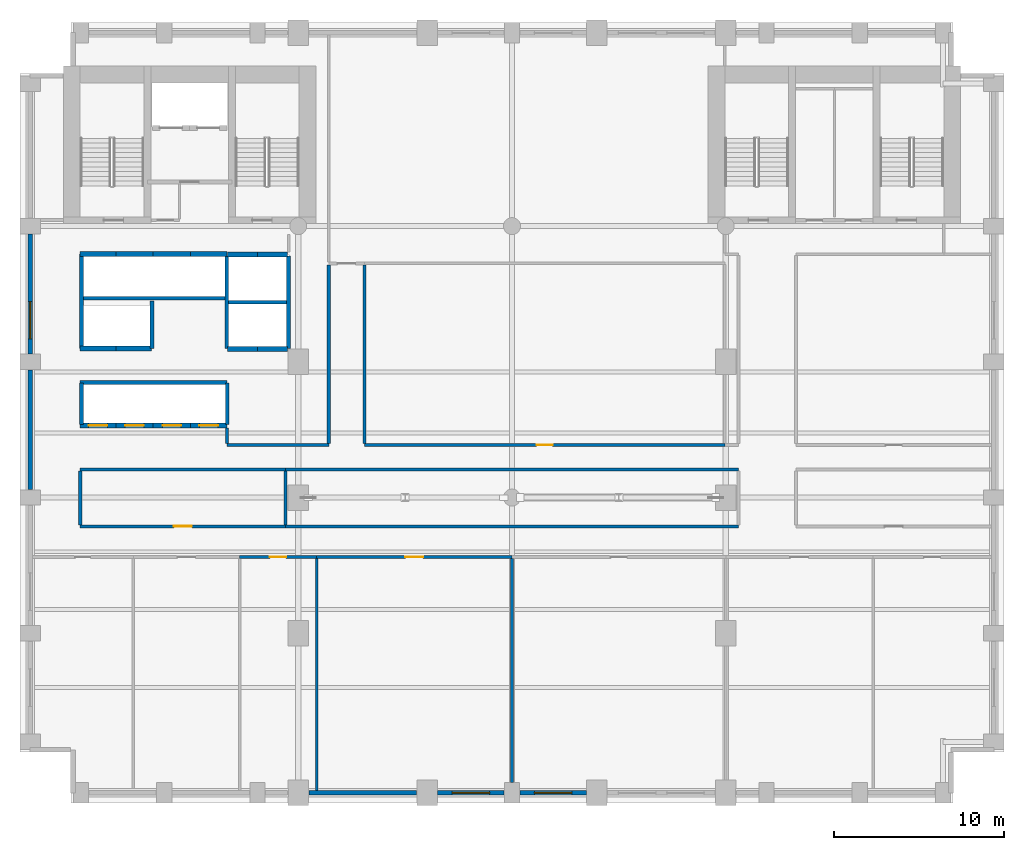
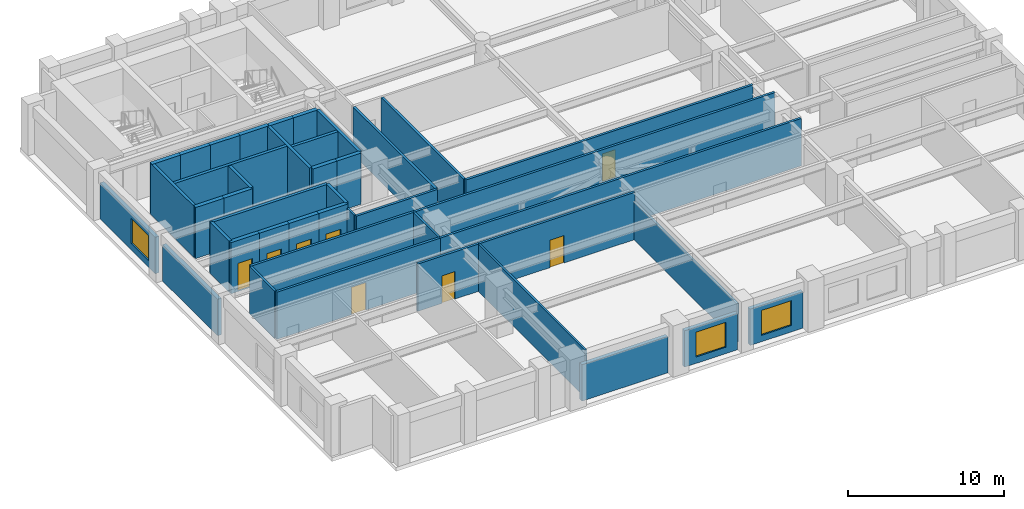
# One storey, part 5 of 10: 43 walls, 8 doors, 3 windows, 11 openings.
"""IFC4 building model written with IfcOpenShell, lengths in metres."""

from ifc_helpers import new_model, si_unit, direction, frame, frame_2d, origin, place, context, subcontext, project, spatial, rectangle, extrude, material, layer, layer_set, type_object, element, fill, save


model = new_model("IFC4")

# Units and contexts
model_context = context("Model", 3, precision=1e-05, world=origin(), true_north=direction((0.0, 1.0)))
body_context = subcontext(model_context, "Body", "Model", "MODEL_VIEW")
ifc_project = project(units=[si_unit("LENGTHUNIT", "METRE"), si_unit("AREAUNIT", "SQUARE_METRE"), si_unit("VOLUMEUNIT", "CUBIC_METRE"), si_unit("PLANEANGLEUNIT", "RADIAN"), si_unit("MASSUNIT", "GRAM", prefix="KILO")], contexts=[model_context])

# Site, building, storey
site_placement = place(None, origin())
site = spatial("IfcSite", under=ifc_project, at=site_placement, CompositionType="ELEMENT")
building_placement = place(site_placement, origin())
building = spatial("IfcBuilding", under=site, at=building_placement, Name="Sulina Concourse Tower", CompositionType="ELEMENT")
storey_placement = place(building_placement, frame((0.0, 0.0, 50.60009765625)))
storey = spatial("IfcBuildingStorey", under=building, at=storey_placement, Name="L12", CompositionType="ELEMENT", Elevation=50.60009765625)

# Walls
ifc_material_1 = material(Name="Concrete C50/60", Category="concrete")
ifc_layer_1 = layer(ifc_material_1, 0.219970703125)
ifc_layer_set_1 = layer_set([ifc_layer_1], Name="Concrete C50/60")
wall_type_1 = type_object("IfcWallType", Name="Core Lift Hoistway Divider Wall 220mm", PredefinedType="SOLIDWALL", material=ifc_layer_set_1)
wall_1_placement = place(storey_placement, frame((3.550048828125, 29.75, 0.0), z_axis=(0.0, 0.0, 1.0), x_axis=(1.0, 0.0, 0.0)))
element("IfcWall", 1, at=wall_1_placement, inside=storey, type_object=wall_type_1, Name="L12 shaft divider wall HW-LP3-S", PredefinedType="SOLIDWALL", context=body_context, shape_type="SweptSolid", body=[
    extrude(rectangle(XDim=8.64990234375, YDim=0.219970703125, at=frame_2d((4.324951171875, 0.0))), origin(), (0.0, 0.0, 1.0), 4.0),
])
wall_2_placement = place(storey_placement, frame((3.6298828125, 26.800048828125, 0.0), z_axis=(0.0, 0.0, 1.0), x_axis=(0.0, 1.0, 0.0)))
element("IfcWall", 2, at=wall_2_placement, inside=storey, type_object=wall_type_1, Name="L12 shaft divider wall HW-LP3-W", PredefinedType="SOLIDWALL", context=body_context, shape_type="SweptSolid", body=[
    extrude(rectangle(XDim=5.550048828125, YDim=0.219970703125, at=frame_2d((2.77490234375, 0.0))), origin(), (0.0, 0.0, 1.0), 4.0),
])
wall_3_placement = place(storey_placement, frame((7.780029296875, 26.800048828125, 0.0), z_axis=(0.0, 0.0, 1.0), x_axis=(0.0, 1.0, 0.0)))
element("IfcWall", 3, at=wall_3_placement, inside=storey, type_object=wall_type_1, Name="L12 shaft divider wall HW-EXP-E", PredefinedType="SOLIDWALL", context=body_context, shape_type="SweptSolid", body=[
    extrude(rectangle(XDim=2.800048828125, YDim=0.219970703125, at=frame_2d((1.39990234375, 0.0))), origin(), (0.0, 0.0, 1.0), 4.0),
])
for number, where, z_axis, x_axis, name in (
    (4, (12.179931640625, 26.800048828125, 0.0), (0.0, 0.0, 1.0), (0.0, 1.0, 0.0), "L12 shaft divider wall HW-LP2-W"),
    (5, (15.820068359375, 26.800048828125, 0.0), (0.0, 0.0, 1.0), (0.0, 1.0, 0.0), "L12 shaft divider wall HW-LP2-E"),
):
    element("IfcWall", number, at=place(storey_placement, frame(where, z_axis=z_axis, x_axis=x_axis)), inside=storey, type_object=wall_type_1, Name=name, PredefinedType="SOLIDWALL", context=body_context, shape_type="SweptSolid", body=[
        extrude(rectangle(XDim=5.449951171875, YDim=0.219970703125, at=frame_2d((2.72509765625, 0.0))), origin(), (0.0, 0.0, 1.0), 4.0),
    ])
wall_4_placement = place(storey_placement, frame((12.300048828125, 29.52001953125, 0.0), z_axis=(0.0, 0.0, 1.0), x_axis=(1.0, 0.0, 0.0)))
element("IfcWall", 6, at=wall_4_placement, inside=storey, type_object=wall_type_1, Name="L12 shaft divider wall HW-LP2-M", PredefinedType="SOLIDWALL", context=body_context, shape_type="SweptSolid", body=[
    extrude(rectangle(XDim=3.39990234375, YDim=0.219970703125, at=frame_2d((1.699951171875, 0.0))), origin(), (0.0, 0.0, 1.0), 4.0),
])
wall_5_placement = place(storey_placement, frame((3.550048828125, 24.780029296875, 0.0), z_axis=(0.0, 0.0, 1.0), x_axis=(1.0, 0.0, 0.0)))
element("IfcWall", 7, at=wall_5_placement, inside=storey, type_object=wall_type_1, Name="L12 shaft divider wall HW-LP1-N", PredefinedType="SOLIDWALL", context=body_context, shape_type="SweptSolid", body=[
    extrude(rectangle(XDim=8.64990234375, YDim=0.219970703125, at=frame_2d((4.324951171875, 0.0))), origin(), (0.0, 0.0, 1.0), 4.0),
])
for number, where, z_axis, x_axis, name in (
    (8, (3.6298828125, 22.300048828125, 0.0), (0.0, 0.0, 1.0), (0.0, 1.0, 0.0), "L12 shaft divider wall HW-LP1-W"),
    (9, (12.219970703125, 22.300048828125, 0.0), (0.0, 0.0, 1.0), (0.0, 1.0, 0.0), "L12 shaft divider wall HW-LP1-E"),
):
    element("IfcWall", number, at=place(storey_placement, frame(where, z_axis=z_axis, x_axis=x_axis)), inside=storey, type_object=wall_type_1, Name=name, PredefinedType="SOLIDWALL", context=body_context, shape_type="SweptSolid", body=[
        extrude(rectangle(XDim=2.449951171875, YDim=0.219970703125, at=frame_2d((1.22509765625, 0.0))), origin(), (0.0, 0.0, 1.0), 4.0),
    ])

# Wall, opening, door
ifc_material_2 = material(Name="Concrete C50/60", Category="concrete")
ifc_layer_2 = layer(ifc_material_2, 0.300048828125)
ifc_layer_set_2 = layer_set([ifc_layer_2], Name="Concrete C50/60")
wall_type_2 = type_object("IfcWallType", Name="Core Lift Hoistway Wall 300mm", PredefinedType="SOLIDWALL", material=ifc_layer_set_2)
wall_6_placement = place(storey_placement, frame((5.64990234375, 22.25, 0.0), z_axis=(0.0, 0.0, 1.0), x_axis=(-1.0, 0.0, 0.0)))
wall_6 = element("IfcWall", 10, at=wall_6_placement, inside=storey, type_object=wall_type_2, Name="L12 hoistway enclosure wall LP-01", PredefinedType="SOLIDWALL", context=body_context, shape_type="SweptSolid", body=[
    extrude(rectangle(XDim=2.099853515625, YDim=0.300048828125, at=frame_2d((1.0498046875, 0.0))), origin(), (0.0, 0.0, 1.0), 4.0),
])
opening_1_placement = place(wall_6_placement, frame((0.5, 0.0, 0.0)))
opening_1 = element("IfcOpeningElement", 11, at=opening_1_placement, cuts=wall_6, Name="Opening LD-01", PredefinedType="OPENING", context=body_context, shape_type="SweptSolid", body=[
    extrude(rectangle(XDim=1.10009765625, YDim=2.199951171875, at=frame_2d((0.550048828125, 1.10009765625))), frame((0.0, 0.159912109375, 0.0), z_axis=(0.0, -1.0, 0.0), x_axis=(1.0, 0.0, 0.0)), (0.0, 0.0, 1.0), 0.320068359375),
])
ifc_material_3 = material(Name="Stainless steel lift landing door", Category="steel")
ifc_layer_3 = layer(ifc_material_3, 0.050048828125)
ifc_layer_set_3 = layer_set([ifc_layer_3], Name="Stainless steel lift landing door")
door_type_1 = type_object("IfcDoorType", Name="Passenger Lift Sliding Landing Door 1100x2200", OperationType="SLIDING_TO_LEFT", PredefinedType="DOOR", material=ifc_layer_set_3)
door_1_placement = place(opening_1_placement, origin())
door_1 = element("IfcDoor", 12, at=door_1_placement, inside=storey, type_object=door_type_1, Name="L12 lift landing sliding door LP-01", OperationType="SLIDING_TO_LEFT", OverallHeight=2.199951171875, OverallWidth=1.10009765625, PredefinedType="DOOR", context=body_context, shape_type="SweptSolid", body=[
    extrude(rectangle(XDim=1.10009765625, YDim=2.199951171875, at=frame_2d((0.550048828125, 1.10009765625))), frame((0.0, 0.02490234375, 0.0), z_axis=(0.0, -1.0, 0.0), x_axis=(1.0, 0.0, 0.0)), (0.0, 0.0, 1.0), 0.050048828125),
])
fill(opening_1, door_1)

wall_7_placement = place(storey_placement, frame((7.85009765625, 22.25, 0.0), z_axis=(0.0, 0.0, 1.0), x_axis=(-1.0, 0.0, 0.0)))
wall_7 = element("IfcWall", 13, at=wall_7_placement, inside=storey, type_object=wall_type_2, Name="L12 hoistway enclosure wall LP-02", PredefinedType="SOLIDWALL", context=body_context, shape_type="SweptSolid", body=[
    extrude(rectangle(XDim=2.2001953125, YDim=0.300048828125, at=frame_2d((1.10009765625, 0.0))), origin(), (0.0, 0.0, 1.0), 4.0),
])
opening_2_placement = place(wall_7_placement, frame((0.550048828125, 0.0, 0.0)))
opening_2 = element("IfcOpeningElement", 14, at=opening_2_placement, cuts=wall_7, Name="Opening LD-01", PredefinedType="OPENING", context=body_context, shape_type="SweptSolid", body=[
    extrude(rectangle(XDim=1.10009765625, YDim=2.199951171875, at=frame_2d((0.550048828125, 1.10009765625))), frame((0.0, 0.159912109375, 0.0), z_axis=(0.0, -1.0, 0.0), x_axis=(1.0, 0.0, 0.0)), (0.0, 0.0, 1.0), 0.320068359375),
])
door_2_placement = place(opening_2_placement, origin())
door_2 = element("IfcDoor", 15, at=door_2_placement, inside=storey, type_object=door_type_1, Name="L12 lift landing sliding door LP-02", OperationType="SLIDING_TO_RIGHT", OverallHeight=2.199951171875, OverallWidth=1.10009765625, PredefinedType="DOOR", context=body_context, shape_type="SweptSolid", body=[
    extrude(rectangle(XDim=1.10009765625, YDim=2.199951171875, at=frame_2d((0.550048828125, 1.10009765625))), frame((0.0, 0.02490234375, 0.0), z_axis=(0.0, -1.0, 0.0), x_axis=(1.0, 0.0, 0.0)), (0.0, 0.0, 1.0), 0.050048828125),
])
fill(opening_2, door_2)

wall_8_placement = place(storey_placement, frame((10.050048828125, 22.25, 0.0), z_axis=(0.0, 0.0, 1.0), x_axis=(-1.0, 0.0, 0.0)))
wall_8 = element("IfcWall", 16, at=wall_8_placement, inside=storey, type_object=wall_type_2, Name="L12 hoistway enclosure wall LP-03", PredefinedType="SOLIDWALL", context=body_context, shape_type="SweptSolid", body=[
    extrude(rectangle(XDim=2.199951171875, YDim=0.300048828125, at=frame_2d((1.10009765625, 0.0))), origin(), (0.0, 0.0, 1.0), 4.0),
])
opening_3_placement = place(wall_8_placement, frame((0.550048828125, 0.0, 0.0)))
opening_3 = element("IfcOpeningElement", 17, at=opening_3_placement, cuts=wall_8, Name="Opening LD-01", PredefinedType="OPENING", context=body_context, shape_type="SweptSolid", body=[
    extrude(rectangle(XDim=1.10009765625, YDim=2.199951171875, at=frame_2d((0.550048828125, 1.10009765625))), frame((0.0, 0.159912109375, 0.0), z_axis=(0.0, -1.0, 0.0), x_axis=(1.0, 0.0, 0.0)), (0.0, 0.0, 1.0), 0.320068359375),
])
door_3_placement = place(opening_3_placement, origin())
door_3 = element("IfcDoor", 18, at=door_3_placement, inside=storey, type_object=door_type_1, Name="L12 lift landing sliding door LP-03", OperationType="SLIDING_TO_LEFT", OverallHeight=2.199951171875, OverallWidth=1.10009765625, PredefinedType="DOOR", context=body_context, shape_type="SweptSolid", body=[
    extrude(rectangle(XDim=1.10009765625, YDim=2.199951171875, at=frame_2d((0.550048828125, 1.10009765625))), frame((0.0, 0.02490234375, 0.0), z_axis=(0.0, -1.0, 0.0), x_axis=(1.0, 0.0, 0.0)), (0.0, 0.0, 1.0), 0.050048828125),
])
fill(opening_3, door_3)

wall_9_placement = place(storey_placement, frame((12.199951171875, 22.25, 0.0), z_axis=(0.0, 0.0, 1.0), x_axis=(-1.0, 0.0, 0.0)))
wall_9 = element("IfcWall", 19, at=wall_9_placement, inside=storey, type_object=wall_type_2, Name="L12 hoistway enclosure wall LP-04", PredefinedType="SOLIDWALL", context=body_context, shape_type="SweptSolid", body=[
    extrude(rectangle(XDim=2.14990234375, YDim=0.300048828125, at=frame_2d((1.074951171875, 0.0))), origin(), (0.0, 0.0, 1.0), 4.0),
])
opening_4_placement = place(wall_9_placement, frame((0.52490234375, 0.0, 0.0)))
opening_4 = element("IfcOpeningElement", 20, at=opening_4_placement, cuts=wall_9, Name="Opening LD-01", PredefinedType="OPENING", context=body_context, shape_type="SweptSolid", body=[
    extrude(rectangle(XDim=1.10009765625, YDim=2.199951171875, at=frame_2d((0.550048828125, 1.10009765625))), frame((0.0, 0.159912109375, 0.0), z_axis=(0.0, -1.0, 0.0), x_axis=(1.0, 0.0, 0.0)), (0.0, 0.0, 1.0), 0.320068359375),
])
door_4_placement = place(opening_4_placement, origin())
door_4 = element("IfcDoor", 21, at=door_4_placement, inside=storey, type_object=door_type_1, Name="L12 lift landing sliding door LP-04", OperationType="SLIDING_TO_RIGHT", OverallHeight=2.199951171875, OverallWidth=1.10009765625, PredefinedType="DOOR", context=body_context, shape_type="SweptSolid", body=[
    extrude(rectangle(XDim=1.10009765625, YDim=2.199951171875, at=frame_2d((0.550048828125, 1.10009765625))), frame((0.0, 0.02490234375, 0.0), z_axis=(0.0, -1.0, 0.0), x_axis=(1.0, 0.0, 0.0)), (0.0, 0.0, 1.0), 0.050048828125),
])
fill(opening_4, door_4)

# Walls
for number, where, z_axis, x_axis, name in (
    (22, (14.0, 26.75, 0.0), (0.0, 0.0, 1.0), (-1.0, 0.0, 0.0), "L12 hoistway enclosure wall LP-05"),
    (23, (15.780029296875, 26.75, 0.0), (0.0, 0.0, 1.0), (-1.0, 0.0, 0.0), "L12 hoistway enclosure wall LP-06"),
    (24, (12.219970703125, 32.320068359375, 0.0), (0.0, 0.0, 1.0), (1.0, 0.0, 0.0), "L12 hoistway enclosure wall LP-07"),
    (25, (14.0, 32.320068359375, 0.0), (0.0, 0.0, 1.0), (1.0, 0.0, 0.0), "L12 hoistway enclosure wall LP-08"),
):
    element("IfcWall", number, at=place(storey_placement, frame(where, z_axis=z_axis, x_axis=x_axis)), inside=storey, type_object=wall_type_2, Name=name, PredefinedType="SOLIDWALL", context=body_context, shape_type="SweptSolid", body=[
        extrude(rectangle(XDim=1.780029296875, YDim=0.300048828125, at=frame_2d((0.89013671875, 0.0))), origin(), (0.0, 0.0, 1.0), 4.0),
    ])
wall_10_placement = place(storey_placement, frame((3.550048828125, 32.35009765625, 0.0), z_axis=(0.0, 0.0, 1.0), x_axis=(1.0, 0.0, 0.0)))
element("IfcWall", 26, at=wall_10_placement, inside=storey, type_object=wall_type_2, Name="L12 hoistway enclosure wall LP-09", PredefinedType="SOLIDWALL", context=body_context, shape_type="SweptSolid", body=[
    extrude(rectangle(XDim=2.099853515625, YDim=0.300048828125, at=frame_2d((1.0498046875, 0.0))), origin(), (0.0, 0.0, 1.0), 4.0),
])
wall_11_placement = place(storey_placement, frame((5.64990234375, 32.35009765625, 0.0), z_axis=(0.0, 0.0, 1.0), x_axis=(1.0, 0.0, 0.0)))
element("IfcWall", 27, at=wall_11_placement, inside=storey, type_object=wall_type_2, Name="L12 hoistway enclosure wall LP-10", PredefinedType="SOLIDWALL", context=body_context, shape_type="SweptSolid", body=[
    extrude(rectangle(XDim=2.2001953125, YDim=0.300048828125, at=frame_2d((1.10009765625, 0.0))), origin(), (0.0, 0.0, 1.0), 4.0),
])
wall_12_placement = place(storey_placement, frame((7.85009765625, 32.35009765625, 0.0), z_axis=(0.0, 0.0, 1.0), x_axis=(1.0, 0.0, 0.0)))
element("IfcWall", 28, at=wall_12_placement, inside=storey, type_object=wall_type_2, Name="L12 hoistway enclosure wall LP-11", PredefinedType="SOLIDWALL", context=body_context, shape_type="SweptSolid", body=[
    extrude(rectangle(XDim=2.199951171875, YDim=0.300048828125, at=frame_2d((1.10009765625, 0.0))), origin(), (0.0, 0.0, 1.0), 4.0),
])
wall_13_placement = place(storey_placement, frame((10.050048828125, 32.35009765625, 0.0), z_axis=(0.0, 0.0, 1.0), x_axis=(1.0, 0.0, 0.0)))
element("IfcWall", 29, at=wall_13_placement, inside=storey, type_object=wall_type_2, Name="L12 hoistway enclosure wall LP-12", PredefinedType="SOLIDWALL", context=body_context, shape_type="SweptSolid", body=[
    extrude(rectangle(XDim=2.14990234375, YDim=0.300048828125, at=frame_2d((1.074951171875, 0.0))), origin(), (0.0, 0.0, 1.0), 4.0),
])
wall_14_placement = place(storey_placement, frame((5.64990234375, 26.780029296875, 0.0), z_axis=(0.0, 0.0, 1.0), x_axis=(-1.0, 0.0, 0.0)))
element("IfcWall", 30, at=wall_14_placement, inside=storey, type_object=wall_type_2, Name="L12 hoistway enclosure wall EXP-1", PredefinedType="SOLIDWALL", context=body_context, shape_type="SweptSolid", body=[
    extrude(rectangle(XDim=2.099853515625, YDim=0.300048828125, at=frame_2d((1.0498046875, 0.0))), origin(), (0.0, 0.0, 1.0), 4.0),
])
wall_15_placement = place(storey_placement, frame((7.75, 26.780029296875, 0.0), z_axis=(0.0, 0.0, 1.0), x_axis=(-1.0, 0.0, 0.0)))
element("IfcWall", 31, at=wall_15_placement, inside=storey, type_object=wall_type_2, Name="L12 hoistway enclosure wall EXP-2", PredefinedType="SOLIDWALL", context=body_context, shape_type="SweptSolid", body=[
    extrude(rectangle(XDim=2.10009765625, YDim=0.300048828125, at=frame_2d((1.050048828125, 0.0))), origin(), (0.0, 0.0, 1.0), 4.0),
])
ifc_material_4 = material(Name="Gypsum board on steel stud", Category="steel")
ifc_layer_4 = layer(ifc_material_4, 0.14990234375)
ifc_layer_set_4 = layer_set([ifc_layer_4], Name="Gypsum board on steel stud")
wall_type_3 = type_object("IfcWallType", Name="Inter-Tenancy Acoustic Partition 150mm", PredefinedType="PARTITIONING", material=ifc_layer_set_4)
wall_16_placement = place(storey_placement, frame((12.199951171875, 21.18994140625, 0.0), z_axis=(0.0, 0.0, 1.0), x_axis=(0.0, 1.0, 0.0)))
element("IfcWall", 32, at=wall_16_placement, inside=storey, type_object=wall_type_3, Name="L12 interior partition 030", PredefinedType="PARTITIONING", context=body_context, shape_type="SweptSolid", body=[
    extrude(rectangle(XDim=0.91015625, YDim=0.14990234375, at=frame_2d((0.455078125, 0.0))), origin(), (0.0, 0.0, 1.0), 3.699951171875),
])
wall_17_placement = place(storey_placement, frame((15.64990234375, 16.389892578125, 0.0), z_axis=(0.0, 0.0, 1.0), x_axis=(0.0, 1.0, 0.0)))
element("IfcWall", 33, at=wall_17_placement, inside=storey, type_object=wall_type_3, Name="L12 interior partition 032", PredefinedType="PARTITIONING", context=body_context, shape_type="SweptSolid", body=[
    extrude(rectangle(XDim=3.170166015625, YDim=0.14990234375, at=frame_2d((1.5849609375, 0.0))), origin(), (0.0, 0.0, 1.0), 3.699951171875),
])
wall_18_placement = place(storey_placement, frame((17.47998046875, 0.739990234375, 0.0), z_axis=(0.0, 0.0, 1.0), x_axis=(0.0, 1.0, 0.0)))
element("IfcWall", 34, at=wall_18_placement, inside=storey, type_object=wall_type_3, Name="L12 interior partition 034", PredefinedType="PARTITIONING", context=body_context, shape_type="SweptSolid", body=[
    extrude(rectangle(XDim=13.669921875, YDim=0.14990234375, at=frame_2d((6.8349609375, 0.0))), origin(), (0.0, 0.0, 1.0), 3.699951171875),
])
wall_19_placement = place(storey_placement, frame((29.0, 1.199951171875, 0.0), z_axis=(0.0, 0.0, 1.0), x_axis=(0.0, 1.0, 0.0)))
element("IfcWall", 35, at=wall_19_placement, inside=storey, type_object=wall_type_3, Name="L12 interior partition 038", PredefinedType="PARTITIONING", context=body_context, shape_type="SweptSolid", body=[
    extrude(rectangle(XDim=13.2099609375, YDim=0.14990234375, at=frame_2d((6.60498046875, 0.0))), origin(), (0.0, 0.0, 1.0), 2.994873046875),
])

# Wall, opening, door
ifc_material_5 = material(Name="Gypsum board on steel stud", Category="steel")
ifc_layer_5 = layer(ifc_material_5, 0.179931640625)
ifc_layer_set_5 = layer_set([ifc_layer_5], Name="Gypsum board on steel stud")
wall_type_4 = type_object("IfcWallType", Name="Protected Corridor & Riser Partition 180mm", PredefinedType="PARTITIONING", material=ifc_layer_set_5)
wall_20_placement = place(storey_placement, frame((12.93994140625, 14.5, 0.0), z_axis=(0.0, 0.0, 1.0), x_axis=(1.0, 0.0, 0.0)))
wall_20 = element("IfcWall", 36, at=wall_20_placement, inside=storey, type_object=wall_type_4, Name="L12 interior partition 003", PredefinedType="PARTITIONING", context=body_context, shape_type="SweptSolid", body=[
    extrude(rectangle(XDim=4.5400390625, YDim=0.179931640625, at=frame_2d((2.27001953125, 0.0))), origin(), (0.0, 0.0, 1.0), 3.699951171875),
])
opening_5_placement = place(wall_20_placement, frame((1.794921875, 0.0, 0.0)))
opening_5 = element("IfcOpeningElement", 37, at=opening_5_placement, cuts=wall_20, Name="Opening DR-19", PredefinedType="OPENING", context=body_context, shape_type="SweptSolid", body=[
    extrude(rectangle(XDim=0.949951171875, YDim=2.14990234375, at=frame_2d((0.47509765625, 1.074951171875))), frame((0.0, 0.099853515625, 0.0), z_axis=(0.0, -1.0, 0.0), x_axis=(1.0, 0.0, 0.0)), (0.0, 0.0, 1.0), 0.199951171875),
])
ifc_material_6 = material(Name="Oak-veneered acoustic timber leaf", Category="wood")
ifc_layer_6 = layer(ifc_material_6, 0.050048828125)
ifc_layer_set_6 = layer_set([ifc_layer_6], Name="Oak-veneered acoustic timber leaf")
door_type_2 = type_object("IfcDoorType", Name="Cellular Office & Meeting Door 950x2150", OperationType="NOTDEFINED", PredefinedType="DOOR", material=ifc_layer_set_6)
door_5_placement = place(opening_5_placement, origin())
door_5 = element("IfcDoor", 38, at=door_5_placement, inside=storey, type_object=door_type_2, Name="L12 interior door L12-S02B", OperationType="SINGLE_SWING_RIGHT", OverallHeight=2.14990234375, OverallWidth=0.949951171875, PredefinedType="DOOR", context=body_context, shape_type="SweptSolid", body=[
    extrude(rectangle(XDim=0.949951171875, YDim=2.14990234375, at=frame_2d((0.47509765625, 1.074951171875))), frame((0.0, 0.02490234375, 0.0), z_axis=(0.0, -1.0, 0.0), x_axis=(1.0, 0.0, 0.0)), (0.0, 0.0, 1.0), 0.050048828125),
])
fill(opening_5, door_5)

wall_21_placement = place(storey_placement, frame((17.47998046875, 14.5, 0.0), z_axis=(0.0, 0.0, 1.0), x_axis=(1.0, 0.0, 0.0)))
wall_21 = element("IfcWall", 39, at=wall_21_placement, inside=storey, type_object=wall_type_4, Name="L12 interior partition 004", PredefinedType="PARTITIONING", context=body_context, shape_type="SweptSolid", body=[
    extrude(rectangle(XDim=11.52001953125, YDim=0.179931640625, at=frame_2d((5.760009765625, 0.0))), origin(), (0.0, 0.0, 1.0), 3.699951171875),
])
opening_6_placement = place(wall_21_placement, frame((5.235107421875, 0.0, 0.0)))
opening_6 = element("IfcOpeningElement", 40, at=opening_6_placement, cuts=wall_21, Name="Opening DR-37", PredefinedType="OPENING", context=body_context, shape_type="SweptSolid", body=[
    extrude(rectangle(XDim=1.050048828125, YDim=2.14990234375, at=frame_2d((0.52490234375, 1.074951171875))), frame((0.0, 0.099853515625, 0.0), z_axis=(0.0, -1.0, 0.0), x_axis=(1.0, 0.0, 0.0)), (0.0, 0.0, 1.0), 0.199951171875),
])
ifc_material_7 = material(Name="Oak-veneered fire door leaf")
ifc_layer_7 = layer(ifc_material_7, 0.050048828125)
ifc_layer_set_7 = layer_set([ifc_layer_7], Name="Oak-veneered fire door leaf")
door_type_3 = type_object("IfcDoorType", Name="Tenant Suite Entrance Fire Door 1050x2150", OperationType="NOTDEFINED", PredefinedType="DOOR", material=ifc_layer_set_7)
door_6_placement = place(opening_6_placement, origin())
door_6 = element("IfcDoor", 41, at=door_6_placement, inside=storey, type_object=door_type_3, Name="L12 interior door L12-S03", OperationType="SINGLE_SWING_LEFT", OverallHeight=2.14990234375, OverallWidth=1.050048828125, PredefinedType="DOOR", context=body_context, shape_type="SweptSolid", body=[
    extrude(rectangle(XDim=1.050048828125, YDim=2.14990234375, at=frame_2d((0.52490234375, 1.074951171875))), frame((0.0, 0.02490234375, 0.0), z_axis=(0.0, -1.0, 0.0), x_axis=(1.0, 0.0, 0.0)), (0.0, 0.0, 1.0), 0.050048828125),
])
fill(opening_6, door_6)

wall_22_placement = place(storey_placement, frame((3.550048828125, 16.300048828125, 0.0), z_axis=(0.0, 0.0, 1.0), x_axis=(1.0, 0.0, 0.0)))
wall_22 = element("IfcWall", 42, at=wall_22_placement, inside=storey, type_object=wall_type_4, Name="L12 interior partition 008", PredefinedType="PARTITIONING", context=body_context, shape_type="SweptSolid", body=[
    extrude(rectangle(XDim=12.099853515625, YDim=0.179931640625, at=frame_2d((6.0498046875, 0.0))), origin(), (0.0, 0.0, 1.0), 3.699951171875),
])
opening_7_placement = place(wall_22_placement, frame((5.52490234375, 0.0, 0.0)))
opening_7 = element("IfcOpeningElement", 43, at=opening_7_placement, cuts=wall_22, Name="Opening DR-37", PredefinedType="OPENING", context=body_context, shape_type="SweptSolid", body=[
    extrude(rectangle(XDim=1.050048828125, YDim=2.14990234375, at=frame_2d((0.52490234375, 1.074951171875))), frame((0.0, 0.099853515625, 0.0), z_axis=(0.0, -1.0, 0.0), x_axis=(1.0, 0.0, 0.0)), (0.0, 0.0, 1.0), 0.199951171875),
])
door_7_placement = place(opening_7_placement, origin())
door_7 = element("IfcDoor", 44, at=door_7_placement, inside=storey, type_object=door_type_3, Name="L12 interior door L12-OFF-LBTW", OperationType="SINGLE_SWING_LEFT", OverallHeight=2.14990234375, OverallWidth=1.050048828125, PredefinedType="DOOR", context=body_context, shape_type="SweptSolid", body=[
    extrude(rectangle(XDim=1.050048828125, YDim=2.14990234375, at=frame_2d((0.52490234375, 1.074951171875))), frame((0.0, 0.02490234375, 0.0), z_axis=(0.0, -1.0, 0.0), x_axis=(1.0, 0.0, 0.0)), (0.0, 0.0, 1.0), 0.050048828125),
])
fill(opening_7, door_7)

# Walls
wall_23_placement = place(storey_placement, frame((15.64990234375, 16.300048828125, 0.0), z_axis=(0.0, 0.0, 1.0), x_axis=(1.0, 0.0, 0.0)))
element("IfcWall", 45, at=wall_23_placement, inside=storey, type_object=wall_type_4, Name="L12 interior partition 009", PredefinedType="PARTITIONING", context=body_context, shape_type="SweptSolid", body=[
    extrude(rectangle(XDim=26.7001953125, YDim=0.179931640625, at=frame_2d((13.35009765625, 0.0))), origin(), (0.0, 0.0, 1.0), 3.699951171875),
])
wall_24_placement = place(storey_placement, frame((3.550048828125, 19.64990234375, 0.0), z_axis=(0.0, 0.0, 1.0), x_axis=(1.0, 0.0, 0.0)))
element("IfcWall", 46, at=wall_24_placement, inside=storey, type_object=wall_type_4, Name="L12 interior partition 011", PredefinedType="PARTITIONING", context=body_context, shape_type="SweptSolid", body=[
    extrude(rectangle(XDim=12.099853515625, YDim=0.179931640625, at=frame_2d((6.0498046875, 0.0))), origin(), (0.0, 0.0, 1.0), 3.699951171875),
])
wall_25_placement = place(storey_placement, frame((15.64990234375, 19.64990234375, 0.0), z_axis=(0.0, 0.0, 1.0), x_axis=(1.0, 0.0, 0.0)))
element("IfcWall", 47, at=wall_25_placement, inside=storey, type_object=wall_type_4, Name="L12 interior partition 012", PredefinedType="PARTITIONING", context=body_context, shape_type="SweptSolid", body=[
    extrude(rectangle(XDim=26.7001953125, YDim=0.179931640625, at=frame_2d((13.35009765625, 0.0))), origin(), (0.0, 0.0, 1.0), 3.699951171875),
])
wall_26_placement = place(storey_placement, frame((12.199951171875, 21.10009765625, 0.0), z_axis=(0.0, 0.0, 1.0), x_axis=(1.0, 0.0, 0.0)))
element("IfcWall", 48, at=wall_26_placement, inside=storey, type_object=wall_type_4, Name="L12 interior partition 014", PredefinedType="PARTITIONING", context=body_context, shape_type="SweptSolid", body=[
    extrude(rectangle(XDim=6.0, YDim=0.179931640625, at=frame_2d((3.0, 0.0))), origin(), (0.0, 0.0, 1.0), 3.699951171875),
])

# Wall, opening, door
wall_27_placement = place(storey_placement, frame((20.300048828125, 21.10009765625, 0.0), z_axis=(0.0, 0.0, 1.0), x_axis=(1.0, 0.0, 0.0)))
wall_27 = element("IfcWall", 49, at=wall_27_placement, inside=storey, type_object=wall_type_4, Name="L12 interior partition 015", PredefinedType="PARTITIONING", context=body_context, shape_type="SweptSolid", body=[
    extrude(rectangle(XDim=21.25, YDim=0.179931640625, at=frame_2d((10.625, 0.0))), origin(), (0.0, 0.0, 1.0), 3.699951171875),
])
opening_8_placement = place(wall_27_placement, frame((10.14990234375, 0.0, 0.0)))
opening_8 = element("IfcOpeningElement", 50, at=opening_8_placement, cuts=wall_27, Name="Opening DR-19", PredefinedType="OPENING", context=body_context, shape_type="SweptSolid", body=[
    extrude(rectangle(XDim=0.949951171875, YDim=2.14990234375, at=frame_2d((0.47509765625, 1.074951171875))), frame((0.0, 0.099853515625, 0.0), z_axis=(0.0, -1.0, 0.0), x_axis=(1.0, 0.0, 0.0)), (0.0, 0.0, 1.0), 0.199951171875),
])
door_8_placement = place(opening_8_placement, origin())
door_8 = element("IfcDoor", 51, at=door_8_placement, inside=storey, type_object=door_type_2, Name="L12 interior door L12-NC3", OperationType="SINGLE_SWING_LEFT", OverallHeight=2.14990234375, OverallWidth=0.949951171875, PredefinedType="DOOR", context=body_context, shape_type="SweptSolid", body=[
    extrude(rectangle(XDim=0.949951171875, YDim=2.14990234375, at=frame_2d((0.47509765625, 1.074951171875))), frame((0.0, 0.02490234375, 0.0), z_axis=(0.0, -1.0, 0.0), x_axis=(1.0, 0.0, 0.0)), (0.0, 0.0, 1.0), 0.050048828125),
])
fill(opening_8, door_8)

# Walls
wall_28_placement = place(storey_placement, frame((3.550048828125, 16.389892578125, 0.0), z_axis=(0.0, 0.0, 1.0), x_axis=(0.0, 1.0, 0.0)))
element("IfcWall", 52, at=wall_28_placement, inside=storey, type_object=wall_type_4, Name="L12 interior partition 027", PredefinedType="PARTITIONING", context=body_context, shape_type="SweptSolid", body=[
    extrude(rectangle(XDim=3.170166015625, YDim=0.179931640625, at=frame_2d((1.5849609375, 0.0))), origin(), (0.0, 0.0, 1.0), 3.699951171875),
])
for number, where, z_axis, x_axis, name in (
    (53, (18.199951171875, 21.18994140625, 0.0), (0.0, 0.0, 1.0), (0.0, 1.0, 0.0), "L12 interior partition 035"),
    (54, (20.300048828125, 21.18994140625, 0.0), (0.0, 0.0, 1.0), (0.0, 1.0, 0.0), "L12 interior partition 037"),
):
    element("IfcWall", number, at=place(storey_placement, frame(where, z_axis=z_axis, x_axis=x_axis)), inside=storey, type_object=wall_type_4, Name=name, PredefinedType="PARTITIONING", context=body_context, shape_type="SweptSolid", body=[
        extrude(rectangle(XDim=10.52001953125, YDim=0.179931640625, at=frame_2d((5.260009765625, 0.0))), origin(), (0.0, 0.0, 1.0), 3.699951171875),
    ])
ifc_material_8 = material(Name="Precast concrete C50/60", Category="concrete")
ifc_layer_8 = layer(ifc_material_8, 0.280029296875)
ifc_layer_set_8 = layer_set([ifc_layer_8], Name="Precast concrete C50/60")
wall_type_5 = type_object("IfcWallType", Name="Typical Precast Masonry-Frame Facade Wall 280mm", PredefinedType="SOLIDWALL", material=ifc_layer_set_8)
wall_29_placement = place(storey_placement, frame((23.3798828125, 0.60009765625, 0.0), z_axis=(0.0, 0.0, 1.0), x_axis=(-1.0, 0.0, 0.0)))
element("IfcWall", 55, at=wall_29_placement, inside=storey, type_object=wall_type_5, Name="L12 exterior precast wall S4", PredefinedType="SOLIDWALL", context=body_context, shape_type="SweptSolid", body=[
    extrude(rectangle(XDim=6.35986328125, YDim=0.280029296875, at=frame_2d((3.179931640625, 0.0))), origin(), (0.0, 0.0, 1.0), 2.849853515625),
])

# Wall, opening, window
wall_30_placement = place(storey_placement, frame((28.530029296875, 0.60009765625, 0.0), z_axis=(0.0, 0.0, 1.0), x_axis=(-1.0, 0.0, 0.0)))
wall_30 = element("IfcWall", 56, at=wall_30_placement, inside=storey, type_object=wall_type_5, Name="L12 exterior precast wall S5", PredefinedType="SOLIDWALL", context=body_context, shape_type="SweptSolid", body=[
    extrude(rectangle(XDim=3.909912109375, YDim=0.280029296875, at=frame_2d((1.955078125, 0.0))), origin(), (0.0, 0.0, 1.0), 2.849853515625),
])
opening_9_placement = place(wall_30_placement, frame((0.85498046875, 0.0, 0.5)))
opening_9 = element("IfcOpeningElement", 57, at=opening_9_placement, cuts=wall_30, Name="Opening WN-76", PredefinedType="OPENING", context=body_context, shape_type="SweptSolid", body=[
    extrude(rectangle(XDim=2.199951171875, YDim=1.949951171875, at=frame_2d((1.10009765625, 0.97509765625))), frame((0.0, 0.14990234375, 0.0), z_axis=(0.0, -1.0, 0.0), x_axis=(1.0, 0.0, 0.0)), (0.0, 0.0, 1.0), 0.300048828125),
])
ifc_material_9 = material(Name="Low-E solar double glazing in bronze aluminium", Category="aluminium")
window_type = type_object("IfcWindowType", Name="Recessed Spandrel Window 2200x1950", PartitioningType="DOUBLE_PANEL_VERTICAL", PredefinedType="WINDOW", material=ifc_material_9)
window_1_placement = place(opening_9_placement, origin())
window_1 = element("IfcWindow", 58, at=window_1_placement, inside=storey, type_object=window_type, Name="L12 punched window S5-1", OverallHeight=1.949951171875, OverallWidth=2.199951171875, PartitioningType="SINGLE_PANEL", PredefinedType="WINDOW", context=body_context, shape_type="SweptSolid", body=[
    extrude(rectangle(XDim=2.199951171875, YDim=1.949951171875, at=frame_2d((1.10009765625, 0.97509765625))), frame((0.0, 0.030029296875, 0.0), z_axis=(0.0, -1.0, 0.0), x_axis=(1.0, 0.0, 0.0)), (0.0, 0.0, 1.0), 0.06005859375),
])
fill(opening_9, window_1)

wall_31_placement = place(storey_placement, frame((33.3798828125, 0.60009765625, 0.0), z_axis=(0.0, 0.0, 1.0), x_axis=(-1.0, 0.0, 0.0)))
wall_31 = element("IfcWall", 59, at=wall_31_placement, inside=storey, type_object=wall_type_5, Name="L12 exterior precast wall S6", PredefinedType="SOLIDWALL", context=body_context, shape_type="SweptSolid", body=[
    extrude(rectangle(XDim=3.909912109375, YDim=0.280029296875, at=frame_2d((1.955078125, 0.0))), origin(), (0.0, 0.0, 1.0), 2.849853515625),
])
opening_10_placement = place(wall_31_placement, frame((0.85498046875, 0.0, 0.5)))
opening_10 = element("IfcOpeningElement", 60, at=opening_10_placement, cuts=wall_31, Name="Opening WN-76", PredefinedType="OPENING", context=body_context, shape_type="SweptSolid", body=[
    extrude(rectangle(XDim=2.199951171875, YDim=1.949951171875, at=frame_2d((1.10009765625, 0.97509765625))), frame((0.0, 0.14990234375, 0.0), z_axis=(0.0, -1.0, 0.0), x_axis=(1.0, 0.0, 0.0)), (0.0, 0.0, 1.0), 0.300048828125),
])
window_2_placement = place(opening_10_placement, origin())
window_2 = element("IfcWindow", 61, at=window_2_placement, inside=storey, type_object=window_type, Name="L12 punched window S6-1", OverallHeight=1.949951171875, OverallWidth=2.199951171875, PartitioningType="SINGLE_PANEL", PredefinedType="WINDOW", context=body_context, shape_type="SweptSolid", body=[
    extrude(rectangle(XDim=2.199951171875, YDim=1.949951171875, at=frame_2d((1.10009765625, 0.97509765625))), frame((0.0, 0.030029296875, 0.0), z_axis=(0.0, -1.0, 0.0), x_axis=(1.0, 0.0, 0.0)), (0.0, 0.0, 1.0), 0.06005859375),
])
fill(opening_10, window_2)

# Wall
wall_32_placement = place(storey_placement, frame((0.60009765625, 18.469970703125, 0.0), z_axis=(0.0, 0.0, 1.0), x_axis=(0.0, 1.0, 0.0)))
element("IfcWall", 62, at=wall_32_placement, inside=storey, type_object=wall_type_5, Name="L12 exterior precast wall W3", PredefinedType="SOLIDWALL", context=body_context, shape_type="SweptSolid", body=[
    extrude(rectangle(XDim=7.06005859375, YDim=0.280029296875, at=frame_2d((3.530029296875, 0.0))), origin(), (0.0, 0.0, 1.0), 2.849853515625),
])

# Wall, opening, window
wall_33_placement = place(storey_placement, frame((0.60009765625, 26.469970703125, 0.0), z_axis=(0.0, 0.0, 1.0), x_axis=(0.0, 1.0, 0.0)))
wall_33 = element("IfcWall", 63, at=wall_33_placement, inside=storey, type_object=wall_type_5, Name="L12 exterior precast wall W4", PredefinedType="SOLIDWALL", context=body_context, shape_type="SweptSolid", body=[
    extrude(rectangle(XDim=7.06005859375, YDim=0.280029296875, at=frame_2d((3.530029296875, 0.0))), origin(), (0.0, 0.0, 1.0), 2.849853515625),
])
opening_11_placement = place(wall_33_placement, frame((0.88671875, 0.0, 0.5)))
opening_11 = element("IfcOpeningElement", 64, at=opening_11_placement, cuts=wall_33, Name="Opening WN-76", PredefinedType="OPENING", context=body_context, shape_type="SweptSolid", body=[
    extrude(rectangle(XDim=2.199951171875, YDim=1.949951171875, at=frame_2d((1.10009765625, 0.97509765625))), frame((0.0, 0.14990234375, 0.0), z_axis=(0.0, -1.0, 0.0), x_axis=(1.0, 0.0, 0.0)), (0.0, 0.0, 1.0), 0.300048828125),
])
window_3_placement = place(opening_11_placement, origin())
window_3 = element("IfcWindow", 65, at=window_3_placement, inside=storey, type_object=window_type, Name="L12 punched window W4-1", OverallHeight=1.949951171875, OverallWidth=2.199951171875, PartitioningType="SINGLE_PANEL", PredefinedType="WINDOW", context=body_context, shape_type="SweptSolid", body=[
    extrude(rectangle(XDim=2.199951171875, YDim=1.949951171875, at=frame_2d((1.10009765625, 0.97509765625))), frame((0.0, 0.030029296875, 0.0), z_axis=(0.0, -1.0, 0.0), x_axis=(1.0, 0.0, 0.0)), (0.0, 0.0, 1.0), 0.06005859375),
])
fill(opening_11, window_3)

save(model, "model.ifc")
